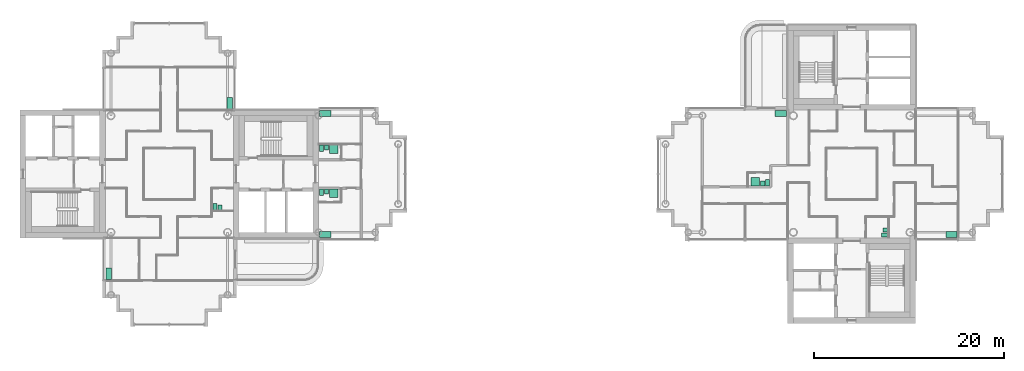
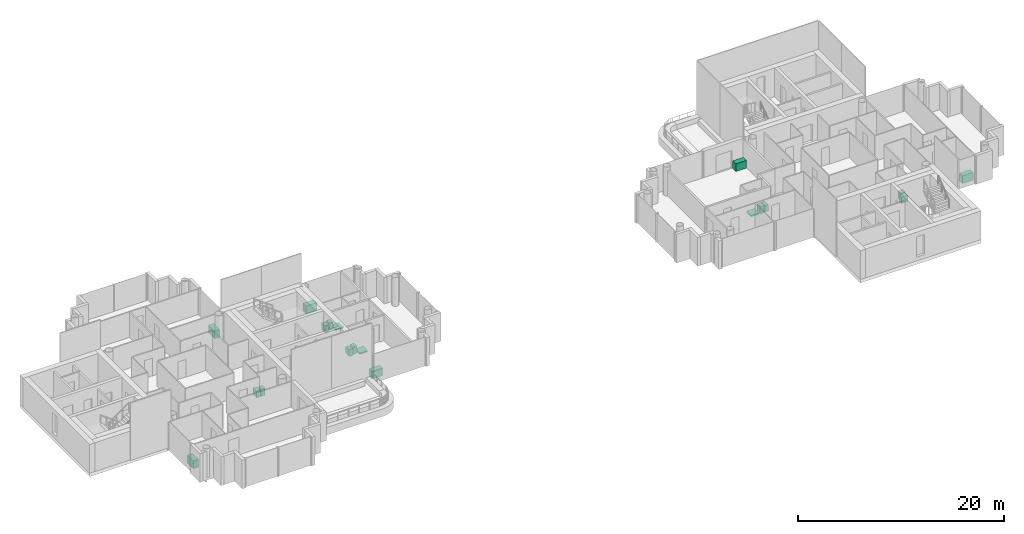
# One storey, part 18 of 18: 19 sanitary terminals.
"""IFC4 building model written with IfcOpenShell, lengths in metres."""

from ifc_helpers import new_model, si_unit, direction, frame, origin, origin_2d, place, context, subcontext, project, spatial, rectangle, extrude, material, type_object, element, save


model = new_model("IFC4")

# Units and contexts
model_context = context("Model", 3, precision=1e-05, world=origin(), true_north=direction((0.0, 1.0)))
body_context = subcontext(model_context, "Body", "Model", "MODEL_VIEW")
ifc_project = project(units=[si_unit("LENGTHUNIT", "METRE"), si_unit("AREAUNIT", "SQUARE_METRE"), si_unit("VOLUMEUNIT", "CUBIC_METRE"), si_unit("PLANEANGLEUNIT", "RADIAN"), si_unit("MASSUNIT", "GRAM", prefix="KILO")], contexts=[model_context])

# Site, building, storey
site_placement = place(None, origin())
site = spatial("IfcSite", under=ifc_project, at=site_placement, CompositionType="ELEMENT")
building_placement = place(site_placement, origin())
building = spatial("IfcBuilding", under=site, at=building_placement, Name="Ipe Terrace Towers", CompositionType="ELEMENT")
storey_placement = place(building_placement, frame((0.0, 0.0, 226.60009765625)))
storey = spatial("IfcBuildingStorey", under=building, at=storey_placement, Name="L63", CompositionType="ELEMENT", Elevation=226.60009765625)

# Sanitary terminals
ifc_material_1 = material(Name="Stainless sink unit", Category="metal")
sanitary_terminal_type_1 = type_object("IfcSanitaryTerminalType", Name="Kitchen sink unit", PredefinedType="SINK", material=ifc_material_1)
for number, where, z_axis, x_axis, name in (
    (1, (-29.6201171875, 7.469970703125, 0.0), (0.0, 0.0, 1.0), (0.0, -1.0, 0.0), "Kitchen sink unit"),
    (2, (-42.3798828125, -10.530029296875, 0.0), (0.0, 0.0, 1.0), (0.0, 1.0, 0.0), "Kitchen sink unit"),
    (3, (-19.530029296875, 6.3798828125, 0.0), (0.0, 0.0, 1.0), (1.0, 0.0, 0.0), "Kitchen sink unit"),
    (4, (-19.530029296875, -6.3798828125, 0.0), (0.0, 0.0, 1.0), (-1.0, 0.0, 0.0), "Kitchen sink unit"),
    (5, (28.530029296875, 6.3798828125, 0.0), (0.0, 0.0, 1.0), (1.0, 0.0, 0.0), "Kitchen sink unit"),
    (6, (46.530029296875, -6.3798828125, 0.0), (0.0, 0.0, 1.0), (-1.0, 0.0, 0.0), "Kitchen sink unit"),
):
    element("IfcSanitaryTerminal", number, at=place(storey_placement, frame(where, z_axis=z_axis, x_axis=x_axis)), inside=storey, type_object=sanitary_terminal_type_1, Name=name, PredefinedType="SINK", context=body_context, shape_type="SweptSolid", body=[
        extrude(rectangle(XDim=1.199951171875, YDim=0.60009765625, at=origin_2d()), origin(), (0.0, 0.0, 1.0), 0.89990234375),
    ])
ifc_material_2 = material(Name="Acrylic", Category="plastic")
sanitary_terminal_type_2 = type_object("IfcSanitaryTerminalType", Name="Shower tray", PredefinedType="SHOWER", material=ifc_material_2)
for number, where, z_axis, x_axis, name in (
    (7, (-18.6298828125, 2.6298828125, 0.0), (0.0, 0.0, 1.0), (0.0, -1.0, 0.0), "Shower tray"),
    (8, (-18.6298828125, -2.02001953125, 0.0), (0.0, 0.0, 1.0), (0.0, -1.0, 0.0), "Shower tray"),
    (9, (25.830078125, -0.830078125, 0.0), (0.0, 0.0, 1.0), (0.0, 1.0, 0.0), "Shower tray"),
):
    element("IfcSanitaryTerminal", number, at=place(storey_placement, frame(where, z_axis=z_axis, x_axis=x_axis)), inside=storey, type_object=sanitary_terminal_type_2, Name=name, PredefinedType="SHOWER", context=body_context, shape_type="SweptSolid", body=[
        extrude(rectangle(XDim=0.89990234375, YDim=0.89990234375, at=origin_2d()), origin(), (0.0, 0.0, 1.0), 0.14990234375),
    ])
ifc_material_3 = material(Name="Vitreous china", Category="ceramic")
sanitary_terminal_type_3 = type_object("IfcSanitaryTerminalType", Name="Wash basin", PredefinedType="WASHHANDBASIN", material=ifc_material_3)
for number, where, z_axis, x_axis, name in (
    (10, (-30.655029296875, -3.554931640625, -0.000244140625), (0.0, 0.0, 1.0), (0.0, 1.0, 0.0), "Wash basin"),
    (11, (-19.405029296875, 2.804931640625, -0.000244140625), (0.0, 0.0, 1.0), (0.0, -1.0, 0.0), "Wash basin"),
    (12, (-19.405029296875, -1.844970703125, -0.000244140625), (0.0, 0.0, 1.0), (0.0, -1.0, 0.0), "Wash basin"),
    (13, (39.554931640625, -5.905029296875, -0.000244140625), (0.0, 0.0, 1.0), (-1.0, 0.0, 0.0), "Wash basin"),
    (14, (26.60498046875, -1.0048828125, -0.000244140625), (0.0, 0.0, 1.0), (0.0, 1.0, 0.0), "Wash basin"),
):
    element("IfcSanitaryTerminal", number, at=place(storey_placement, frame(where, z_axis=z_axis, x_axis=x_axis)), inside=storey, type_object=sanitary_terminal_type_3, Name=name, PredefinedType="WASHHANDBASIN", context=body_context, shape_type="SweptSolid", body=[
        extrude(rectangle(XDim=0.550048828125, YDim=0.449951171875, at=origin_2d()), origin(), (0.0, 0.0, 1.0), 0.85009765625),
    ])
ifc_material_4 = material(Name="Vitreous china", Category="ceramic")
sanitary_terminal_type_4 = type_object("IfcSanitaryTerminalType", Name="Water closet", PredefinedType="TOILETPAN", material=ifc_material_4)
for number, where, z_axis, x_axis, name in (
    (15, (-31.179931640625, -3.47998046875, 0.0), (0.0, 0.0, 1.0), (0.0, 1.0, 0.0), "Water closet"),
    (16, (-19.929931640625, 2.72998046875, 0.0), (0.0, 0.0, 1.0), (0.0, -1.0, 0.0), "Water closet"),
    (17, (-19.929931640625, -1.919921875, 0.0), (0.0, 0.0, 1.0), (0.0, -1.0, 0.0), "Water closet"),
    (18, (39.47998046875, -6.429931640625, 0.0), (0.0, 0.0, 1.0), (-1.0, 0.0, 0.0), "Water closet"),
    (19, (27.1298828125, -0.929931640625, 0.0), (0.0, 0.0, 1.0), (0.0, 1.0, 0.0), "Water closet"),
):
    element("IfcSanitaryTerminal", number, at=place(storey_placement, frame(where, z_axis=z_axis, x_axis=x_axis)), inside=storey, type_object=sanitary_terminal_type_4, Name=name, PredefinedType="TOILETPAN", context=body_context, shape_type="SweptSolid", body=[
        extrude(rectangle(XDim=0.699951171875, YDim=0.39990234375, at=origin_2d()), origin(), (0.0, 0.0, 1.0), 0.780029296875),
    ])

save(model, "model.ifc")
